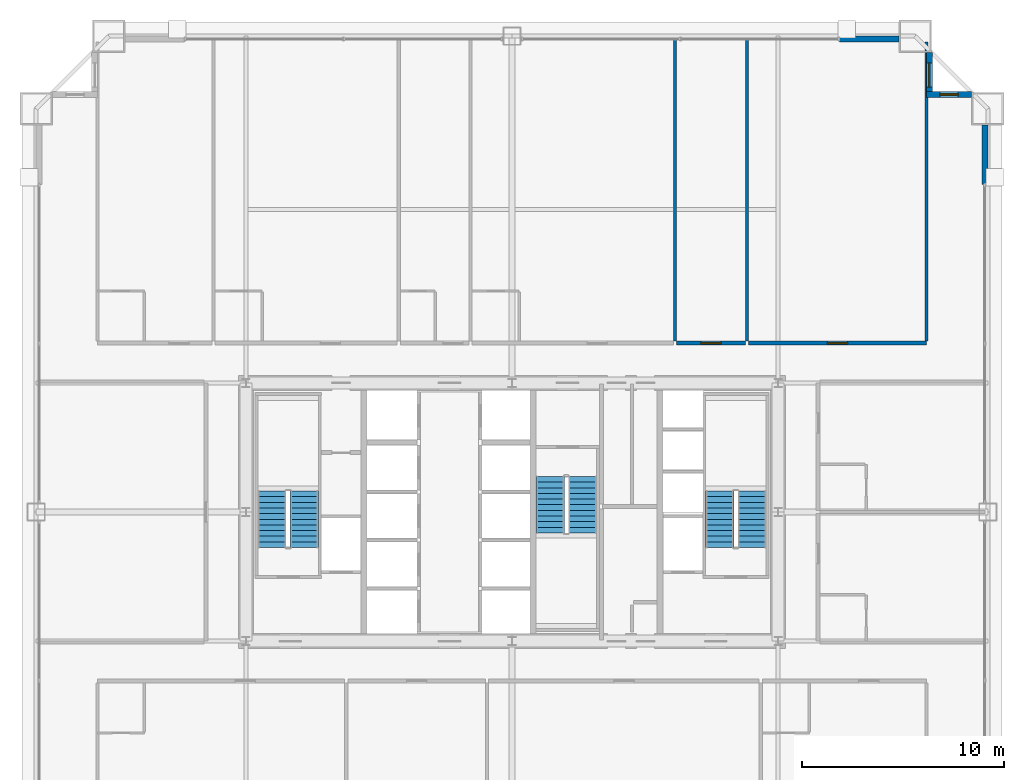
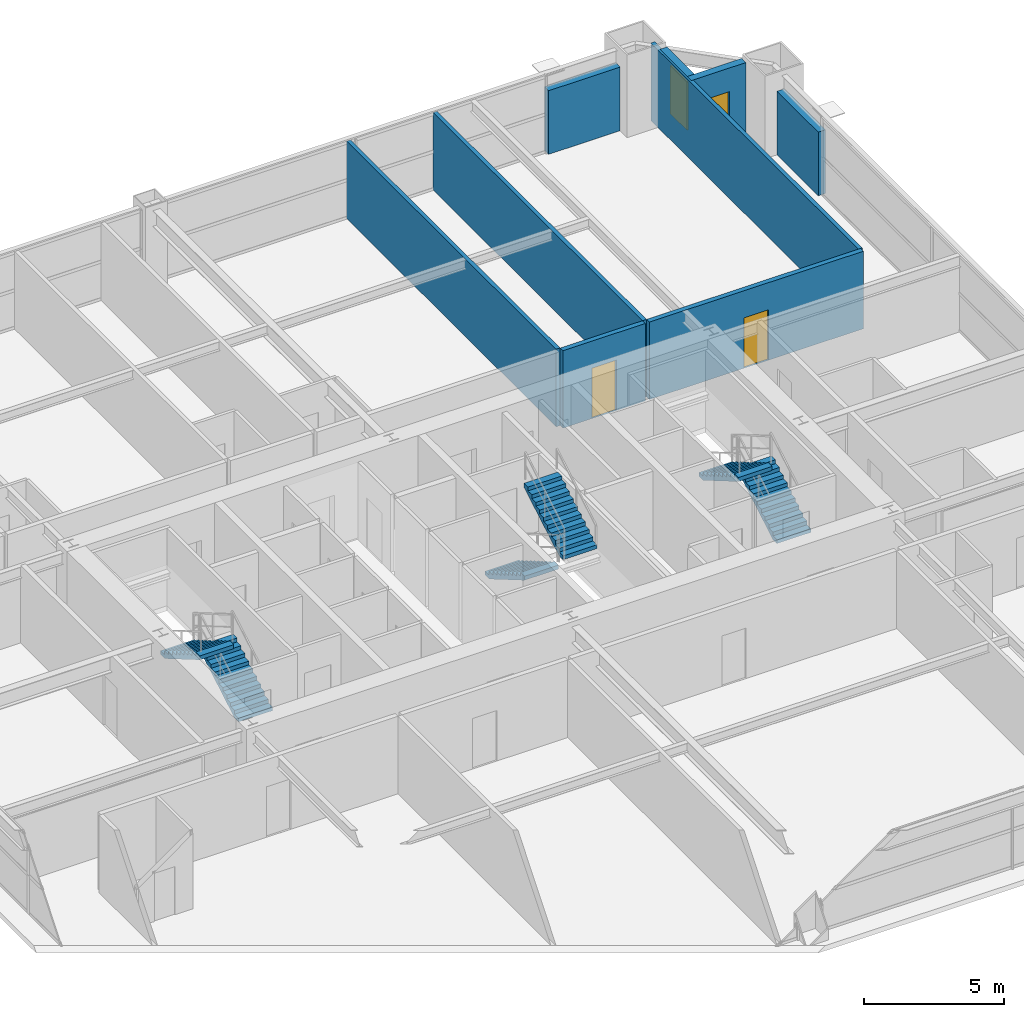
# One storey, part 37 of 38: 9 walls, 6 stair flights, 2 doors, 2 windows, 4 openings, 3 elements without a shape of their own.
"""IFC4 building model written with IfcOpenShell, lengths in metres."""

import ifcopenshell
import ifcopenshell.guid

model = None  # the IFC model being written
_history = None  # IfcOwnerHistory: only IFC2X3 demands one
_inside = {}  # id of a spatial element -> (the spatial element, [elements in it])
_under = {}  # id of a project, library or spatial element -> (it, [spatial elements below it])
_declared = {}  # id of a project -> (the project, [libraries it declares])
_typed = {}  # id of a type object -> (the type object, [elements of that type])
_made_of = {}  # id of a material, layer set ... -> (it, [elements and type objects made of it])


def new_model(schema):
    """Start an empty IFC model of exactly this schema.

    Asked for "IFC4X3", IfcOpenShell would pick the latest addendum, in which some entities
    have other attributes; the version numbers below select the first issue.
    IFC2X3 requires an IfcOwnerHistory on every rooted entity: one is made here for all.
    """
    global model, _history
    if schema == "IFC4X3":
        model = ifcopenshell.file(schema_version=(4, 3, 0, 0))
    else:
        model = ifcopenshell.file(schema=schema)
    _inside.clear()
    _under.clear()
    _declared.clear()
    _typed.clear()
    _made_of.clear()
    _history = None
    if model.schema == "IFC2X3":
        org = make("IfcOrganization", Name="unknown")
        user = make(
            "IfcPersonAndOrganization",
            ThePerson=make("IfcPerson", FamilyName="unknown"),
            TheOrganization=org,
        )
        app = make(
            "IfcApplication",
            ApplicationDeveloper=org,
            Version="unknown",
            ApplicationFullName="unknown",
            ApplicationIdentifier="unknown",
        )
        _history = make(
            "IfcOwnerHistory",
            OwningUser=user,
            OwningApplication=app,
            ChangeAction="ADDED",
            CreationDate=0,
        )
    return model


def make(cls, **values):
    """One entity of the class cls with the attributes given. An attribute that is None is left unset."""
    return model.create_entity(
        cls, **{name: value for name, value in values.items() if value is not None}
    )


def rooted(cls, **values):
    """An entity with a GlobalId (a new one), such as an element, a storey or a relation."""
    return make(cls, GlobalId=ifcopenshell.guid.new(), OwnerHistory=_history, **values)


def si_unit(unit_type, name, prefix=None):
    """IfcSIUnit, for example si_unit("LENGTHUNIT", "METRE", prefix="MILLI")."""
    return make("IfcSIUnit", UnitType=unit_type, Prefix=prefix, Name=name)


def assignment(units):
    """IfcUnitAssignment: the units of a project."""
    return None if units is None else make("IfcUnitAssignment", Units=units)


def point(xyz):
    """IfcCartesianPoint."""
    return None if xyz is None else make("IfcCartesianPoint", Coordinates=xyz)


def direction(xyz):
    """IfcDirection."""
    return None if xyz is None else make("IfcDirection", DirectionRatios=xyz)


def frame(location, z_axis=None, x_axis=None):
    """IfcAxis2Placement3D, a coordinate frame: its origin and axes. An axis left out is left unset."""
    return make(
        "IfcAxis2Placement3D",
        Location=point(location),
        Axis=direction(z_axis),
        RefDirection=direction(x_axis),
    )


def frame_2d(location, x_axis=None):
    """IfcAxis2Placement2D, a coordinate frame in the plane: its origin and x axis."""
    return make(
        "IfcAxis2Placement2D", Location=point(location), RefDirection=direction(x_axis)
    )


def origin():
    """The frame at (0, 0, 0) with its axes left unset."""
    return frame((0.0, 0.0, 0.0))


def place(relative_to, where):
    """IfcLocalPlacement: puts the frame where relative to a parent placement (None: the world)."""
    return make(
        "IfcLocalPlacement", PlacementRelTo=relative_to, RelativePlacement=where
    )


def context(
    kind, dimensions, precision=None, world=None, true_north=None, identifier=None
):
    """IfcGeometricRepresentationContext, for example the 3D "Model" context."""
    return make(
        "IfcGeometricRepresentationContext",
        ContextIdentifier=identifier,
        ContextType=kind,
        CoordinateSpaceDimension=dimensions,
        Precision=precision,
        WorldCoordinateSystem=world,
        TrueNorth=true_north,
    )


def subcontext(parent, identifier, kind, view, scale=None):
    """IfcGeometricRepresentationSubContext, for example "Body" below "Model"."""
    return make(
        "IfcGeometricRepresentationSubContext",
        ContextIdentifier=identifier,
        ContextType=kind,
        ParentContext=parent,
        TargetScale=scale,
        TargetView=view,
    )


def project(units=None, contexts=None):
    """IfcProject with its units and contexts."""
    return rooted(
        "IfcProject",
        Name="project",
        RepresentationContexts=contexts,
        UnitsInContext=assignment(units),
    )


def spatial(cls, under=None, at=None, **own):
    """A site, building, storey or space (cls), placed at a placement, below another one or the project."""
    s = rooted(cls, ObjectPlacement=at, **own)
    if under is not None:
        _under.setdefault(under.id(), (under, []))[1].append(s)
    return s


def polyline(points):
    """IfcPolyline through the points."""
    return make("IfcPolyline", Points=[point(p) for p in points])


def profile(cls, at=None, kind="AREA", **sizes):
    """A parametric profile (cls). Its sizes go by their IFC names, for example OverallWidth=200.0."""
    return make(cls, ProfileType=kind, Position=at, **sizes)


def rectangle(**sizes):
    """IfcRectangleProfileDef."""
    return profile("IfcRectangleProfileDef", **sizes)


def outline(outer, holes=None, kind="AREA"):
    """IfcArbitraryClosedProfileDef: a profile drawn as a closed curve; with holes, ...WithVoids."""
    if holes is None:
        return make("IfcArbitraryClosedProfileDef", ProfileType=kind, OuterCurve=outer)
    return make(
        "IfcArbitraryProfileDefWithVoids",
        ProfileType=kind,
        OuterCurve=outer,
        InnerCurves=holes,
    )


def extrude(swept, where, along, depth):
    """IfcExtrudedAreaSolid: the profile swept, set in the frame where, extruded along a direction by depth."""
    return make(
        "IfcExtrudedAreaSolid",
        SweptArea=swept,
        Position=where,
        ExtrudedDirection=direction(along),
        Depth=depth,
    )


def shape(context_of_items, identifier, shape_type, items):
    """IfcShapeRepresentation: the items that make up one representation, for example the "Body"."""
    return make(
        "IfcShapeRepresentation",
        ContextOfItems=context_of_items,
        RepresentationIdentifier=identifier,
        RepresentationType=shape_type,
        Items=items,
    )


def source(mapping_origin, context_of_items, identifier, shape_type, items):
    """IfcRepresentationMap: a shape defined once, which mapped items show again and again."""
    return make(
        "IfcRepresentationMap",
        MappingOrigin=mapping_origin,
        MappedRepresentation=shape(context_of_items, identifier, shape_type, items),
    )


def transform(
    local_origin,
    x_axis=None,
    y_axis=None,
    z_axis=None,
    scale=None,
    scale2=None,
    scale3=None,
    uniform=True,
):
    """IfcCartesianTransformationOperator3D, or its non-uniform kind. x_axis, y_axis, z_axis: its Axis1, 2, 3."""
    if uniform:
        return make(
            "IfcCartesianTransformationOperator3D",
            Axis1=direction(x_axis),
            Axis2=direction(y_axis),
            LocalOrigin=point(local_origin),
            Scale=scale,
            Axis3=direction(z_axis),
        )
    return make(
        "IfcCartesianTransformationOperator3DnonUniform",
        Axis1=direction(x_axis),
        Axis2=direction(y_axis),
        LocalOrigin=point(local_origin),
        Scale=scale,
        Axis3=direction(z_axis),
        Scale2=scale2,
        Scale3=scale3,
    )


def mapped(mapping_source, mapping_target):
    """IfcMappedItem: shows the shape of a source again, moved by a transform."""
    return make(
        "IfcMappedItem", MappingSource=mapping_source, MappingTarget=mapping_target
    )


def material(Name=None, Category=None):
    """IfcMaterial."""
    return make("IfcMaterial", Name=Name, Category=Category)


def layer(
    of_material, thickness, ventilated=None, Name=None, Category=None, Priority=None
):
    """IfcMaterialLayer: one layer of a wall or slab, of a material (None: an air gap)."""
    return make(
        "IfcMaterialLayer",
        Material=of_material,
        LayerThickness=thickness,
        IsVentilated=ventilated,
        Name=Name,
        Category=Category,
        Priority=Priority,
    )


def layer_set(layers, Name=None):
    """IfcMaterialLayerSet."""
    return make("IfcMaterialLayerSet", MaterialLayers=layers, LayerSetName=Name)


def made_of(thing, what):
    """Note that an element or type object is made of a material, layer set ...; save() writes the relation."""
    if what is not None:
        _made_of.setdefault(what.id(), (what, []))[1].append(thing)
    return thing


def type_object(cls, material=None, **own):
    """A type object (cls), such as IfcWallType, which elements share."""
    return made_of(rooted(cls, **own), material)


def element(
    cls,
    number,
    at=None,
    inside=None,
    cuts=None,
    type_object=None,
    material=None,
    context=None,
    identifier="Body",
    shape_type=None,
    held_by="IfcProductDefinitionShape",
    body=None,
    shapes=None,
    **own,
):
    """One element of the class cls, such as IfcWall. Its Tag is "e" and its number.

    at: its placement. inside: the storey or other place that contains it. cuts: it is an
    opening in that element (IfcRelVoidsElement). A single representation is given by context,
    identifier, shape_type and body (its items); several are given by shapes. held_by: the class
    of the entity that holds the representations. save() writes the other relations.
    """
    e = rooted(cls, Tag="e%d" % number, ObjectPlacement=at, **own)
    if body is not None:
        shapes = [shape(context, identifier, shape_type, body)]
    if shapes is not None:
        e.Representation = make(held_by, Representations=shapes)
    if inside is not None:
        _inside.setdefault(inside.id(), (inside, []))[1].append(e)
    if cuts is not None:
        rooted(
            "IfcRelVoidsElement", RelatingBuildingElement=cuts, RelatedOpeningElement=e
        )
    if type_object is not None:
        _typed.setdefault(type_object.id(), (type_object, []))[1].append(e)
    return made_of(e, material)


def fill(opening, filler):
    """IfcRelFillsElement: the door or window that sits in an opening."""
    return rooted(
        "IfcRelFillsElement",
        RelatingOpeningElement=opening,
        RelatedBuildingElement=filler,
    )


def aggregate(whole, parts):
    """IfcRelAggregates: a whole, such as a stair, and the parts it consists of."""
    return rooted("IfcRelAggregates", RelatingObject=whole, RelatedObjects=parts)


def save(model, path):
    """Write the relations noted so far, then the file.

    IfcRelAggregates (storeys below a building ...), IfcRelContainedInSpatialStructure (elements
    in a storey), IfcRelDefinesByType, IfcRelAssociatesMaterial and IfcRelDeclares: one each for
    every whole, place, type object, material and project.
    """
    for whole, parts in _under.values():
        aggregate(whole, parts)
    for where, things in _inside.values():
        rooted(
            "IfcRelContainedInSpatialStructure",
            RelatedElements=things,
            RelatingStructure=where,
        )
    for kind, things in _typed.values():
        rooted("IfcRelDefinesByType", RelatedObjects=things, RelatingType=kind)
    for what, things in _made_of.values():
        rooted("IfcRelAssociatesMaterial", RelatedObjects=things, RelatingMaterial=what)
    for by, libraries in _declared.values():
        rooted("IfcRelDeclares", RelatingContext=by, RelatedDefinitions=libraries)
    model.write(path)


model = new_model("IFC4")

# Units and contexts
model_context = context("Model", 3, precision=1e-05, world=origin(), true_north=direction((0.0, 1.0)))
body_context = subcontext(model_context, "Body", "Model", "MODEL_VIEW")
ifc_project = project(units=[si_unit("LENGTHUNIT", "METRE"), si_unit("AREAUNIT", "SQUARE_METRE"), si_unit("VOLUMEUNIT", "CUBIC_METRE"), si_unit("PLANEANGLEUNIT", "RADIAN"), si_unit("MASSUNIT", "GRAM", prefix="KILO"), si_unit("THERMODYNAMICTEMPERATUREUNIT", "KELVIN"), si_unit("POWERUNIT", "WATT")], contexts=[model_context])

# Site, building, storey
site_placement = place(None, origin())
site = spatial("IfcSite", under=ifc_project, at=site_placement, CompositionType="ELEMENT")
building_placement = place(site_placement, origin())
building = spatial("IfcBuilding", under=site, at=building_placement, Name="Yuzanri Waterfront Tower", CompositionType="ELEMENT")
storey_placement = place(building_placement, frame((0.0, 0.0, 119.0)))
storey = spatial("IfcBuildingStorey", under=building, at=storey_placement, Name="L31", CompositionType="ELEMENT", Elevation=119.0)

# Wall, opening, window
ifc_material_1 = material(Name="Honed Chongqing Dark Basalt Stone", Category="masonry")
ifc_layer_1 = layer(ifc_material_1, 0.300048828125)
ifc_layer_set_1 = layer_set([ifc_layer_1], Name="Honed Chongqing Dark Basalt Stone")
wall_type_1 = type_object("IfcWallType", Name="Bronze Rainscreen Insulated Spandrel Portal Wall 300", PredefinedType="SOLIDWALL", material=ifc_layer_set_1)
wall_1_placement = place(storey_placement, frame((59.800048828125, 46.5, 0.0), z_axis=(0.0, 0.0, 1.0), x_axis=(-1.0, 0.0, 0.0)))
wall_1 = element("IfcWall", 1, at=wall_1_placement, inside=storey, type_object=wall_type_1, Name="L31 Notched Corner Masonry Wall NE-X", PredefinedType="SOLIDWALL", context=body_context, shape_type="SweptSolid", body=[
    extrude(rectangle(XDim=2.25, YDim=0.300048828125, at=frame_2d((1.125, 0.0))), origin(), (0.0, 0.0, 1.0), 3.3798828125),
])
opening_1_placement = place(wall_1_placement, frame((0.675048828125, 0.0, 0.85009765625)))
opening_1 = element("IfcOpeningElement", 2, at=opening_1_placement, cuts=wall_1, Name="Opening WN-05", PredefinedType="OPENING", context=body_context, shape_type="SweptSolid", body=[
    extrude(rectangle(XDim=0.89990234375, YDim=1.5, at=frame_2d((0.449951171875, 0.75))), frame((0.0, 0.1650390625, 0.0), z_axis=(0.0, -1.0, 0.0), x_axis=(1.0, 0.0, 0.0)), (0.0, 0.0, 1.0), 0.329833984375),
])
ifc_material_2 = material(Name="Double-Silver Low-E Insulated Glass", Category="glass")
window_type_1 = type_object("IfcWindowType", Name="Anodized Bronze Service and Stairwell Smoke-Vent Window 900x1500", PartitioningType="SINGLE_PANEL", PredefinedType="WINDOW", material=ifc_material_2)
shared_shape_1 = source(origin(), body_context, "Body", "SweptSolid", [
    extrude(rectangle(XDim=0.89990234375, YDim=1.5, at=frame_2d((0.449951171875, 0.75))), frame((0.0, 0.030029296875, 0.0), z_axis=(0.0, -1.0, 0.0), x_axis=(1.0, 0.0, 0.0)), (0.0, 0.0, 1.0), 0.06005859375),
])
window_1_placement = place(opening_1_placement, origin())
window_1 = element("IfcWindow", 3, at=window_1_placement, inside=storey, type_object=window_type_1, Name="L31 Notched Corner Window NE-X", OverallHeight=1.5, OverallWidth=0.89990234375, PartitioningType="SINGLE_PANEL", PredefinedType="WINDOW", context=body_context, shape_type="MappedRepresentation", body=[
    mapped(shared_shape_1, transform((0.0, 0.0, 0.0), scale=1.0)),
])
fill(opening_1, window_1)

wall_2_placement = place(storey_placement, frame((57.699951171875, 46.35009765625, 0.0), z_axis=(0.0, 0.0, 1.0), x_axis=(0.0, 1.0, 0.0)))
wall_2 = element("IfcWall", 4, at=wall_2_placement, inside=storey, type_object=wall_type_1, Name="L31 Notched Corner Masonry Wall NE-Y", PredefinedType="SOLIDWALL", context=body_context, shape_type="SweptSolid", body=[
    extrude(rectangle(XDim=2.25, YDim=0.300048828125, at=frame_2d((1.125, 0.0))), origin(), (0.0, 0.0, 1.0), 3.3798828125),
])
opening_2_placement = place(wall_2_placement, frame((0.52490234375, 0.0, 0.85009765625)))
opening_2 = element("IfcOpeningElement", 5, at=opening_2_placement, cuts=wall_2, Name="Opening WN-02", PredefinedType="OPENING", context=body_context, shape_type="SweptSolid", body=[
    extrude(rectangle(XDim=1.199951171875, YDim=2.10009765625, at=frame_2d((0.60009765625, 1.050048828125))), frame((0.0, 0.1650390625, 0.0), z_axis=(0.0, -1.0, 0.0), x_axis=(1.0, 0.0, 0.0)), (0.0, 0.0, 1.0), 0.329833984375),
])
ifc_material_3 = material(Name="Double-Silver Low-E Insulated Glass", Category="glass")
window_type_2 = type_object("IfcWindowType", Name="Anodized Bronze Notched Corner Deep-Set Slot Window 1200x2100", PartitioningType="SINGLE_PANEL", PredefinedType="WINDOW", material=ifc_material_3)
shared_shape_2 = source(origin(), body_context, "Body", "SweptSolid", [
    extrude(rectangle(XDim=1.199951171875, YDim=2.10009765625, at=frame_2d((0.60009765625, 1.050048828125))), frame((0.0, 0.030029296875, 0.0), z_axis=(0.0, -1.0, 0.0), x_axis=(1.0, 0.0, 0.0)), (0.0, 0.0, 1.0), 0.06005859375),
])
window_2_placement = place(opening_2_placement, origin())
window_2 = element("IfcWindow", 6, at=window_2_placement, inside=storey, type_object=window_type_2, Name="L31 Notched Corner Window NE-Y", OverallHeight=2.10009765625, OverallWidth=1.199951171875, PartitioningType="SINGLE_PANEL", PredefinedType="WINDOW", context=body_context, shape_type="MappedRepresentation", body=[
    mapped(shared_shape_2, transform((0.0, 0.0, 0.0), scale=1.0)),
])
fill(opening_2, window_2)

# Wall, opening, door
ifc_material_4 = material(Name="Autoclaved Aerated Concrete Blockwork", Category="masonry")
ifc_layer_2 = layer(ifc_material_4, 0.199951171875)
ifc_layer_set_2 = layer_set([ifc_layer_2], Name="Autoclaved Aerated Concrete Blockwork")
wall_type_2 = type_object("IfcWallType", Name="Corridor and Unit Party Fire Wall 200", PredefinedType="PARTITIONING", material=ifc_layer_set_2)
wall_3_placement = place(storey_placement, frame((45.1669921875, 34.179931640625, 0.0), z_axis=(0.0, 0.0, 1.0), x_axis=(1.0, 0.0, 0.0)))
wall_3 = element("IfcWall", 7, at=wall_3_placement, inside=storey, type_object=wall_type_2, Name="L31 Partition UW-L31-N5-CS", PredefinedType="PARTITIONING", context=body_context, shape_type="SweptSolid", body=[
    extrude(rectangle(XDim=3.404052734375, YDim=0.199951171875, at=frame_2d((1.7021484375, 0.0))), origin(), (0.0, 0.0, 1.0), 3.3798828125),
])
opening_3_placement = place(wall_3_placement, frame((1.201904296875, 0.0, 0.0)))
opening_3 = element("IfcOpeningElement", 8, at=opening_3_placement, cuts=wall_3, Name="Opening FD-1000", PredefinedType="OPENING", context=body_context, shape_type="SweptSolid", body=[
    extrude(rectangle(XDim=1.0, YDim=2.199951171875, at=frame_2d((0.5, 1.10009765625))), frame((0.0, 0.11474609375, 0.0), z_axis=(0.0, -1.0, 0.0), x_axis=(1.0, 0.0, 0.0)), (0.0, 0.0, 1.0), 0.229736328125),
])
ifc_material_5 = material(Name="Engineered Oak Fire-Rated Timber", Category="wood")
door_type = type_object("IfcDoorType", Name="Guestroom and Apartment Entrance Fire Door 1000x2200", OperationType="NOTDEFINED", PredefinedType="DOOR", material=ifc_material_5)
shared_shape_3 = source(origin(), body_context, "Body", "SweptSolid", [
    extrude(rectangle(XDim=1.0, YDim=2.199951171875, at=frame_2d((0.5, 1.10009765625))), frame((0.0, 0.02490234375, 0.0), z_axis=(0.0, -1.0, 0.0), x_axis=(1.0, 0.0, 0.0)), (0.0, 0.0, 1.0), 0.050048828125),
])
door_1_placement = place(opening_3_placement, origin())
door_1 = element("IfcDoor", 9, at=door_1_placement, inside=storey, type_object=door_type, Name="L31 Private Dining Restaurant Entrance Door", OperationType="SINGLE_SWING_RIGHT", OverallHeight=2.199951171875, OverallWidth=1.0, PredefinedType="DOOR", context=body_context, shape_type="MappedRepresentation", body=[
    mapped(shared_shape_3, transform((0.0, 0.0, 0.0), scale=1.0)),
])
fill(opening_3, door_1)

wall_4_placement = place(storey_placement, frame((48.73095703125, 34.179931640625, 0.0), z_axis=(0.0, 0.0, 1.0), x_axis=(1.0, 0.0, 0.0)))
wall_4 = element("IfcWall", 10, at=wall_4_placement, inside=storey, type_object=wall_type_2, Name="L31 Partition UW-L31-N6-CS", PredefinedType="PARTITIONING", context=body_context, shape_type="SweptSolid", body=[
    extrude(rectangle(XDim=8.8291015625, YDim=0.199951171875, at=frame_2d((4.41455078125, 0.0))), origin(), (0.0, 0.0, 1.0), 3.3798828125),
])
opening_4_placement = place(wall_4_placement, frame((3.9140625, 0.0, 0.0)))
opening_4 = element("IfcOpeningElement", 11, at=opening_4_placement, cuts=wall_4, Name="Opening FD-1000", PredefinedType="OPENING", context=body_context, shape_type="SweptSolid", body=[
    extrude(rectangle(XDim=1.0, YDim=2.199951171875, at=frame_2d((0.5, 1.10009765625))), frame((0.0, 0.11474609375, 0.0), z_axis=(0.0, -1.0, 0.0), x_axis=(1.0, 0.0, 0.0)), (0.0, 0.0, 1.0), 0.229736328125),
])
door_2_placement = place(opening_4_placement, origin())
door_2 = element("IfcDoor", 12, at=door_2_placement, inside=storey, type_object=door_type, Name="L31 Sky Tea Restaurant Entrance Door", OperationType="SINGLE_SWING_LEFT", OverallHeight=2.199951171875, OverallWidth=1.0, PredefinedType="DOOR", context=body_context, shape_type="MappedRepresentation", body=[
    mapped(shared_shape_3, transform((0.0, 0.0, 0.0), scale=1.0)),
])
fill(opening_4, door_2)

# Walls
shared_shape_4 = source(origin(), body_context, "Body", "SweptSolid", [
    extrude(rectangle(XDim=2.949951171875, YDim=0.300048828125, at=frame_2d((1.47509765625, 0.0))), origin(), (0.0, 0.0, 1.0), 2.77490234375),
])
for number, where, z_axis, x_axis, name in (
    (13, (53.25, 49.25, 0.0), (0.0, 0.0, 1.0), (1.0, 0.0, 0.0), "L31 N Right Braced Masonry Shoulder"),
    (14, (60.449951171875, 42.050048828125, 0.0), (0.0, 0.0, 1.0), (0.0, 1.0, 0.0), "L31 E Right Braced Masonry Shoulder"),
):
    element("IfcWall", number, at=place(storey_placement, frame(where, z_axis=z_axis, x_axis=x_axis)), inside=storey, type_object=wall_type_1, Name=name, PredefinedType="SOLIDWALL", context=body_context, shape_type="MappedRepresentation", body=[
        mapped(shared_shape_4, transform((0.0, 0.0, 0.0), scale=1.0)),
    ])
ifc_material_6 = material(Name="Gypsum Fireboard Acoustic Stud Wall", Category="gypsum")
ifc_layer_3 = layer(ifc_material_6, 0.159912109375)
ifc_layer_set_3 = layer_set([ifc_layer_3], Name="Gypsum Fireboard Acoustic Stud Wall")
wall_type_3 = type_object("IfcWallType", Name="Acoustic Suite Demising Partition 160", PredefinedType="PARTITIONING", material=ifc_layer_set_3)
shared_shape_5 = source(origin(), body_context, "Body", "SweptSolid", [
    extrude(rectangle(XDim=14.969970703125, YDim=0.159912109375, at=frame_2d((7.48486328125, 0.0))), origin(), (0.0, 0.0, 1.0), 3.3798828125),
])
for number, where, z_axis, x_axis, name in (
    (15, (45.0869140625, 34.280029296875, 0.0), (0.0, 0.0, 1.0), (0.0, 1.0, 0.0), "L31-N4 Party Wall"),
    (16, (48.65087890625, 34.280029296875, 0.0), (0.0, 0.0, 1.0), (0.0, 1.0, 0.0), "L31-N5 Party Wall"),
):
    element("IfcWall", number, at=place(storey_placement, frame(where, z_axis=z_axis, x_axis=x_axis)), inside=storey, type_object=wall_type_3, Name=name, PredefinedType="PARTITIONING", context=body_context, shape_type="MappedRepresentation", body=[
        mapped(shared_shape_5, transform((0.0, 0.0, 0.0), scale=1.0)),
    ])
shared_shape_6 = source(origin(), body_context, "Body", "SweptSolid", [
    extrude(rectangle(XDim=14.820068359375, YDim=0.159912109375, at=frame_2d((7.41015625, 0.0))), origin(), (0.0, 0.0, 1.0), 3.3798828125),
])
wall_5_placement = place(storey_placement, frame((57.550048828125, 34.280029296875, 0.0), z_axis=(0.0, 0.0, 1.0), x_axis=(0.0, 1.0, 0.0)))
element("IfcWall", 17, at=wall_5_placement, inside=storey, type_object=wall_type_3, Name="L31 North Band East End Wall", PredefinedType="PARTITIONING", context=body_context, shape_type="MappedRepresentation", body=[
    mapped(shared_shape_6, transform((0.0, 0.0, 0.0), scale=1.0)),
])

# Stair, stair flights
ifc_material_7 = material(Name="Concrete C40", Category="concrete")
stair_type = type_object("IfcStairType", Name="Concrete C40 Core Dogleg Exit Stair", PredefinedType="HALF_TURN_STAIR", material=ifc_material_7)
stair_1_placement = place(storey_placement, origin())
stair_1 = element("IfcStair", 18, at=stair_1_placement, inside=storey, type_object=stair_type, Name="L31 Smoke-Proof Core Stair ST-01", PredefinedType="HALF_TURN_STAIR")
ifc_material_8 = material(Name="Concrete C40", Category="concrete")
stair_flight_type = type_object("IfcStairFlightType", Name="Concrete C40 Precast Stair Flight 1380", PredefinedType="STRAIGHT", material=ifc_material_8)
shared_shape_7 = source(origin(), body_context, "Body", "SweptSolid", [
    extrude(outline(polyline([(0.0, 0.0), (0.0, 0.16357421875), (0.280029296875, 0.16357421875), (0.280029296875, 0.327392578125), (0.56005859375, 0.327392578125), (0.56005859375, 0.490966796875), (0.840087890625, 0.490966796875), (0.840087890625, 0.654541015625), (1.1201171875, 0.654541015625), (1.1201171875, 0.818115234375), (1.39990234375, 0.818115234375), (1.39990234375, 0.98193359375), (1.679931640625, 0.98193359375), (1.679931640625, 1.1455078125), (1.9599609375, 1.1455078125), (1.9599609375, 1.30908203125), (2.239990234375, 1.30908203125), (2.239990234375, 1.47265625), (2.52001953125, 1.47265625), (2.52001953125, 1.636474609375), (2.800048828125, 1.636474609375), (2.800048828125, 1.800048828125), (2.800048828125, 1.462646484375), (0.297119140625, 0.0), (0.0, 0.0)])), frame((0.0, 0.699951171875, 0.0), z_axis=(0.0, -1.0, 0.0), x_axis=(1.0, 0.0, 0.0)), (0.0, 0.0, 1.0), 1.39990234375),
])
stair_flight_1_placement = place(storey_placement, frame((26.699951171875, 24.0400390625, 0.0), z_axis=(0.0, 0.0, 1.0), x_axis=(0.0, 1.0, 0.0)))
stair_flight_1 = element("IfcStairFlight", 19, at=stair_flight_1_placement, type_object=stair_flight_type, Name="ST-01 flight 1", NumberOfRisers=11, NumberOfTreads=10, PredefinedType="STRAIGHT", RiserHeight=0.163636364, TreadLength=0.28, context=body_context, shape_type="MappedRepresentation", body=[
    mapped(shared_shape_7, transform((0.0, 0.0, 0.0), scale=1.0)),
])
stair_flight_2_placement = place(storey_placement, frame((25.10009765625, 26.840087890625, 1.800048828125), z_axis=(0.0, 0.0, 1.0), x_axis=(0.0, -1.0, 0.0)))
stair_flight_2 = element("IfcStairFlight", 20, at=stair_flight_2_placement, type_object=stair_flight_type, Name="ST-01 flight 2", NumberOfRisers=11, NumberOfTreads=10, PredefinedType="STRAIGHT", RiserHeight=0.163636364, TreadLength=0.28, context=body_context, shape_type="MappedRepresentation", body=[
    mapped(shared_shape_7, transform((0.0, 0.0, 0.0), scale=1.0)),
])
aggregate(stair_1, [stair_flight_1, stair_flight_2])

stair_2_placement = place(storey_placement, origin())
stair_2 = element("IfcStair", 21, at=stair_2_placement, inside=storey, type_object=stair_type, Name="L31 Smoke-Proof Core Stair ST-02", PredefinedType="HALF_TURN_STAIR")
stair_flight_3_placement = place(storey_placement, frame((48.89990234375, 24.0400390625, 0.0), z_axis=(0.0, 0.0, 1.0), x_axis=(0.0, 1.0, 0.0)))
stair_flight_3 = element("IfcStairFlight", 22, at=stair_flight_3_placement, type_object=stair_flight_type, Name="ST-02 flight 1", NumberOfRisers=11, NumberOfTreads=10, PredefinedType="STRAIGHT", RiserHeight=0.163636364, TreadLength=0.28, context=body_context, shape_type="MappedRepresentation", body=[
    mapped(shared_shape_7, transform((0.0, 0.0, 0.0), scale=1.0)),
])
stair_flight_4_placement = place(storey_placement, frame((47.300048828125, 26.840087890625, 1.800048828125), z_axis=(0.0, 0.0, 1.0), x_axis=(0.0, -1.0, 0.0)))
stair_flight_4 = element("IfcStairFlight", 23, at=stair_flight_4_placement, type_object=stair_flight_type, Name="ST-02 flight 2", NumberOfRisers=11, NumberOfTreads=10, PredefinedType="STRAIGHT", RiserHeight=0.163636364, TreadLength=0.28, context=body_context, shape_type="MappedRepresentation", body=[
    mapped(shared_shape_7, transform((0.0, 0.0, 0.0), scale=1.0)),
])
aggregate(stair_2, [stair_flight_3, stair_flight_4])

stair_3_placement = place(storey_placement, origin())
stair_3 = element("IfcStair", 24, at=stair_3_placement, inside=storey, type_object=stair_type, Name="L31 Smoke-Proof Core Stair ST-03", PredefinedType="HALF_TURN_STAIR")
stair_flight_5_placement = place(storey_placement, frame((38.89990234375, 27.56005859375, 0.0), z_axis=(0.0, 0.0, 1.0), x_axis=(0.0, -1.0, 0.0)))
stair_flight_5 = element("IfcStairFlight", 25, at=stair_flight_5_placement, type_object=stair_flight_type, Name="ST-03 flight 1", NumberOfRisers=11, NumberOfTreads=10, PredefinedType="STRAIGHT", RiserHeight=0.163636364, TreadLength=0.28, context=body_context, shape_type="MappedRepresentation", body=[
    mapped(shared_shape_7, transform((0.0, 0.0, 0.0), scale=1.0)),
])
stair_flight_6_placement = place(storey_placement, frame((40.5, 24.760009765625, 1.800048828125), z_axis=(0.0, 0.0, 1.0), x_axis=(0.0, 1.0, 0.0)))
stair_flight_6 = element("IfcStairFlight", 26, at=stair_flight_6_placement, type_object=stair_flight_type, Name="ST-03 flight 2", NumberOfRisers=11, NumberOfTreads=10, PredefinedType="STRAIGHT", RiserHeight=0.163636364, TreadLength=0.28, context=body_context, shape_type="MappedRepresentation", body=[
    mapped(shared_shape_7, transform((0.0, 0.0, 0.0), scale=1.0)),
])
aggregate(stair_3, [stair_flight_5, stair_flight_6])

save(model, "model.ifc")
